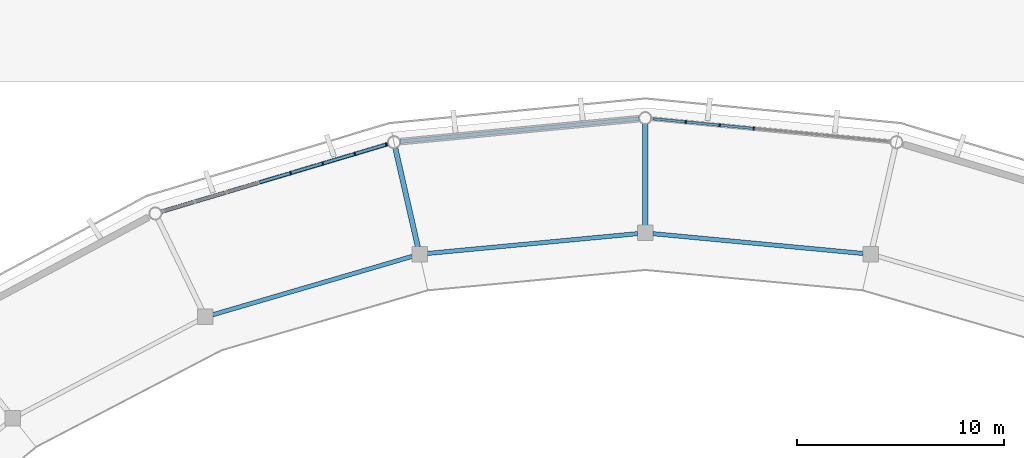
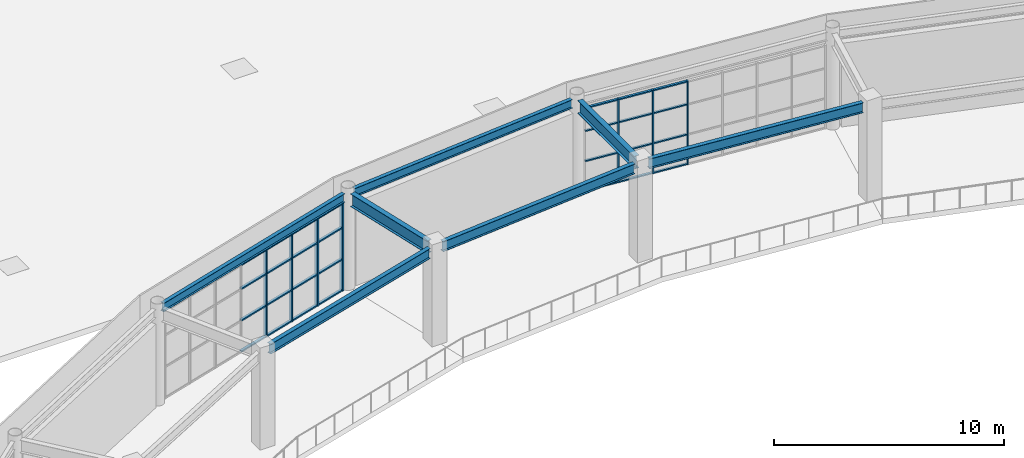
# One storey, part 30 of 70: 35 members, 7 beams, 2 elements without a shape of their own.
"""IFC4 building model written with IfcOpenShell, lengths in metres."""

from ifc_helpers import new_model, si_unit, direction, frame, origin, origin_2d, place, context, subcontext, project, spatial, rectangle, i_section, extrude, material, material_profile, profile_set, type_object, element, aggregate, save


model = new_model("IFC4")

# Units and contexts
model_context = context("Model", 3, precision=1e-05, world=origin(), true_north=direction((0.0, 1.0)))
body_context = subcontext(model_context, "Body", "Model", "MODEL_VIEW")
ifc_project = project(units=[si_unit("LENGTHUNIT", "METRE"), si_unit("AREAUNIT", "SQUARE_METRE"), si_unit("VOLUMEUNIT", "CUBIC_METRE"), si_unit("PLANEANGLEUNIT", "RADIAN"), si_unit("MASSUNIT", "GRAM", prefix="KILO")], contexts=[model_context])

# Site, building, storey
site_placement = place(None, origin())
site = spatial("IfcSite", under=ifc_project, at=site_placement, CompositionType="ELEMENT")
building_placement = place(site_placement, origin())
building = spatial("IfcBuilding", under=site, at=building_placement, Name="Cuetzalor Civic Arena", CompositionType="ELEMENT")
storey_placement = place(building_placement, frame((0.0, 0.0, 21.0)))
storey = spatial("IfcBuildingStorey", under=building, at=storey_placement, Name="L04", CompositionType="ELEMENT", Elevation=21.0)

# Curtain wall, members
ifc_material_1 = material(Name="Anodised dark bronze aluminium and low-E solar glass", Category="aluminium")
curtain_wall_type_1 = type_object("IfcCurtainWallType", Name="UnitisedCW_11550x4450", PredefinedType="USERDEFINED", material=ifc_material_1)
curtain_wall_1_placement = place(storey_placement, origin())
curtain_wall_1 = element("IfcCurtainWall", 1, at=curtain_wall_1_placement, inside=storey, type_object=curtain_wall_type_1, Name="Drum Triangle Foyer Curtain Wall L04-059", ObjectType="UNITISED CURTAIN WALL", PredefinedType="USERDEFINED")
ifc_material_2 = material(Name="Anodised dark bronze aluminium", Category="aluminium")
ifc_material_profile_1 = material_profile(ifc_material_2, rectangle(XDim=0.06494140625, YDim=0.14990234375, at=origin_2d()), Name="ALU MULLION 65x150")
ifc_profile_set_1 = profile_set([ifc_material_profile_1], Name="Anodised dark bronze aluminium")
member_type_1 = type_object("IfcMemberType", Name="CurtainWallMullion_60x150", PredefinedType="MULLION", material=ifc_profile_set_1)
member_1_placement = place(storey_placement, frame((1.957763671875, 46.36181640625, 0.0), z_axis=(0.0, 0.0, 1.0), x_axis=(0.995409139996, -0.095711253324, 0.0)))
member_1 = element("IfcMember", 2, at=member_1_placement, type_object=member_type_1, Name="CW-08 mullion 2", PredefinedType="MULLION", context=body_context, shape_type="SweptSolid", body=[
    extrude(rectangle(XDim=0.06494140625, YDim=0.14990234375, at=origin_2d()), origin(), (0.0, 0.0, 1.0), 4.431884765625),
])
member_2_placement = place(storey_placement, frame((3.602294921875, 46.20361328125, 0.0), z_axis=(0.0, 0.0, 1.0), x_axis=(0.995409139996, -0.095711253324, 0.0)))
member_2 = element("IfcMember", 3, at=member_2_placement, type_object=member_type_1, Name="CW-08 mullion 3", PredefinedType="MULLION", context=body_context, shape_type="SweptSolid", body=[
    extrude(rectangle(XDim=0.06494140625, YDim=0.14990234375, at=origin_2d()), origin(), (0.0, 0.0, 1.0), 4.431884765625),
])
member_3_placement = place(storey_placement, frame((5.2470703125, 46.04541015625, 0.0), z_axis=(0.0, 0.0, 1.0), x_axis=(0.995409139996, -0.095711253324, 0.0)))
member_3 = element("IfcMember", 4, at=member_3_placement, type_object=member_type_1, Name="CW-08 mullion 4", PredefinedType="MULLION", context=body_context, shape_type="SweptSolid", body=[
    extrude(rectangle(XDim=0.06494140625, YDim=0.14990234375, at=origin_2d()), origin(), (0.0, 0.0, 1.0), 4.431884765625),
])

ifc_material_3 = material(Name="Anodised dark bronze aluminium and low-E solar glass", Category="aluminium")
curtain_wall_type_2 = type_object("IfcCurtainWallType", Name="UnitisedCW_11300x4650", PredefinedType="USERDEFINED", material=ifc_material_3)
curtain_wall_2_placement = place(storey_placement, origin())
curtain_wall_2 = element("IfcCurtainWall", 5, at=curtain_wall_2_placement, inside=storey, type_object=curtain_wall_type_2, Name="Drum Triangle Foyer Curtain Wall L04-060", ObjectType="UNITISED CURTAIN WALL", PredefinedType="USERDEFINED")
ifc_material_4 = material(Name="Anodised dark bronze aluminium", Category="aluminium")
ifc_material_profile_2 = material_profile(ifc_material_4, rectangle(XDim=0.070068359375, YDim=0.179931640625, at=origin_2d()), Name="ALU MULLION 70x180")
ifc_profile_set_2 = profile_set([ifc_material_profile_2], Name="Anodised dark bronze aluminium")
member_type_2 = type_object("IfcMemberType", Name="CurtainWallMullion_65x180", PredefinedType="MULLION", material=ifc_profile_set_2)
member_4_placement = place(storey_placement, frame((-17.12939453125, 43.892578125, 0.0), z_axis=(0.0, 0.0, 1.0), x_axis=(0.958193690548, 0.286120344251, 0.0)))
member_4 = element("IfcMember", 6, at=member_4_placement, type_object=member_type_2, Name="CW-09 mullion 5", PredefinedType="MULLION", context=body_context, shape_type="SweptSolid", body=[
    extrude(rectangle(XDim=0.070068359375, YDim=0.179931640625, at=origin_2d()), origin(), (0.0, 0.0, 1.0), 4.653076171875),
])
member_5_placement = place(storey_placement, frame((-15.581298828125, 44.35498046875, 0.0), z_axis=(0.0, 0.0, 1.0), x_axis=(0.958193690548, 0.286120344251, 0.0)))
member_5 = element("IfcMember", 7, at=member_5_placement, type_object=member_type_2, Name="CW-09 mullion 6", PredefinedType="MULLION", context=body_context, shape_type="SweptSolid", body=[
    extrude(rectangle(XDim=0.070068359375, YDim=0.179931640625, at=origin_2d()), origin(), (0.0, 0.0, 1.0), 4.653076171875),
])
member_6_placement = place(storey_placement, frame((-14.032958984375, 44.817138671875, 0.0), z_axis=(0.0, 0.0, 1.0), x_axis=(0.958193690548, 0.286120344251, 0.0)))
member_6 = element("IfcMember", 8, at=member_6_placement, type_object=member_type_2, Name="CW-09 mullion 7", PredefinedType="MULLION", context=body_context, shape_type="SweptSolid", body=[
    extrude(rectangle(XDim=0.070068359375, YDim=0.179931640625, at=origin_2d()), origin(), (0.0, 0.0, 1.0), 4.653076171875),
])
member_7_placement = place(storey_placement, frame((-12.5185546875, 45.26953125, 0.0), z_axis=(0.0, 0.0, 1.0), x_axis=(0.958193690548, 0.286120344251, 0.0)))
member_7 = element("IfcMember", 9, at=member_7_placement, type_object=member_type_2, Name="CW-09 mullion 8", PredefinedType="MULLION", context=body_context, shape_type="SweptSolid", body=[
    extrude(rectangle(XDim=0.070068359375, YDim=0.179931640625, at=origin_2d()), origin(), (0.0, 0.0, 1.0), 4.653076171875),
])

# Member
ifc_material_5 = material(Name="Anodised dark bronze aluminium", Category="aluminium")
ifc_material_profile_3 = material_profile(ifc_material_5, rectangle(XDim=0.1201171875, YDim=0.06494140625, at=origin_2d()), Name="ALU TRANSOM 65x120")
ifc_profile_set_3 = profile_set([ifc_material_profile_3], Name="Anodised dark bronze aluminium")
member_type_3 = type_object("IfcMemberType", Name="CurtainWallTransom_60x120", PredefinedType="USERDEFINED", material=ifc_profile_set_3)
member_8_placement = place(storey_placement, frame((0.3779296875, 46.513671875, 0.032470703125), z_axis=(0.995416793915, -0.095631618157, 0.0), x_axis=(0.095631618157, 0.995416793915, 0.0)))
member_8 = element("IfcMember", 10, at=member_8_placement, type_object=member_type_3, Name="CW-08 transom 1.1", ObjectType="TRANSOM", PredefinedType="USERDEFINED", context=body_context, shape_type="SweptSolid", body=[
    extrude(rectangle(XDim=0.1201171875, YDim=0.06494140625, at=origin_2d()), origin(), (0.0, 0.0, 1.0), 1.5546875),
])

member_9_placement = place(storey_placement, frame((0.3779296875, 46.513671875, 1.595947265625), z_axis=(0.995416793915, -0.095631618157, 0.0), x_axis=(0.095631618157, 0.995416793915, 0.0)))
member_9 = element("IfcMember", 11, at=member_9_placement, type_object=member_type_3, Name="CW-08 transom 1.2", ObjectType="TRANSOM", PredefinedType="USERDEFINED", context=body_context, shape_type="SweptSolid", body=[
    extrude(rectangle(XDim=0.1201171875, YDim=0.06494140625, at=origin_2d()), origin(), (0.0, 0.0, 1.0), 1.5546875),
])

member_10_placement = place(storey_placement, frame((0.3779296875, 46.513671875, 3.19091796875), z_axis=(0.995416793915, -0.095631618157, 0.0), x_axis=(0.095631618157, 0.995416793915, 0.0)))
member_10 = element("IfcMember", 12, at=member_10_placement, type_object=member_type_3, Name="CW-08 transom 1.3", ObjectType="TRANSOM", PredefinedType="USERDEFINED", context=body_context, shape_type="SweptSolid", body=[
    extrude(rectangle(XDim=0.1201171875, YDim=0.06494140625, at=origin_2d()), origin(), (0.0, 0.0, 1.0), 1.5546875),
])

member_11_placement = place(storey_placement, frame((0.3779296875, 46.513671875, 4.3994140625), z_axis=(0.995416793915, -0.095631618157, 0.0), x_axis=(0.095631618157, 0.995416793915, 0.0)))
member_11 = element("IfcMember", 13, at=member_11_placement, type_object=member_type_3, Name="CW-08 transom 1.4", ObjectType="TRANSOM", PredefinedType="USERDEFINED", context=body_context, shape_type="SweptSolid", body=[
    extrude(rectangle(XDim=0.1201171875, YDim=0.06494140625, at=origin_2d()), origin(), (0.0, 0.0, 1.0), 1.5546875),
])

member_12_placement = place(storey_placement, frame((1.990234375, 46.358642578125, 0.032470703125), z_axis=(0.995412128785, -0.095680164442, 0.0), x_axis=(0.095680164442, 0.995412128785, 0.0)))
member_12 = element("IfcMember", 14, at=member_12_placement, type_object=member_type_3, Name="CW-08 transom 2.1", ObjectType="TRANSOM", PredefinedType="USERDEFINED", context=body_context, shape_type="SweptSolid", body=[
    extrude(rectangle(XDim=0.1201171875, YDim=0.06494140625, at=origin_2d()), origin(), (0.0, 0.0, 1.0), 1.587158203125),
])

member_13_placement = place(storey_placement, frame((1.990234375, 46.358642578125, 1.595947265625), z_axis=(0.995412128785, -0.095680164442, 0.0), x_axis=(0.095680164442, 0.995412128785, 0.0)))
member_13 = element("IfcMember", 15, at=member_13_placement, type_object=member_type_3, Name="CW-08 transom 2.2", ObjectType="TRANSOM", PredefinedType="USERDEFINED", context=body_context, shape_type="SweptSolid", body=[
    extrude(rectangle(XDim=0.1201171875, YDim=0.06494140625, at=origin_2d()), origin(), (0.0, 0.0, 1.0), 1.587158203125),
])

member_14_placement = place(storey_placement, frame((1.990234375, 46.358642578125, 3.19091796875), z_axis=(0.995412128785, -0.095680164442, 0.0), x_axis=(0.095680164442, 0.995412128785, 0.0)))
member_14 = element("IfcMember", 16, at=member_14_placement, type_object=member_type_3, Name="CW-08 transom 2.3", ObjectType="TRANSOM", PredefinedType="USERDEFINED", context=body_context, shape_type="SweptSolid", body=[
    extrude(rectangle(XDim=0.1201171875, YDim=0.06494140625, at=origin_2d()), origin(), (0.0, 0.0, 1.0), 1.587158203125),
])

member_15_placement = place(storey_placement, frame((1.990234375, 46.358642578125, 4.3994140625), z_axis=(0.995412128785, -0.095680164442, 0.0), x_axis=(0.095680164442, 0.995412128785, 0.0)))
member_15 = element("IfcMember", 17, at=member_15_placement, type_object=member_type_3, Name="CW-08 transom 2.4", ObjectType="TRANSOM", PredefinedType="USERDEFINED", context=body_context, shape_type="SweptSolid", body=[
    extrude(rectangle(XDim=0.1201171875, YDim=0.06494140625, at=origin_2d()), origin(), (0.0, 0.0, 1.0), 1.587158203125),
])

member_16_placement = place(storey_placement, frame((3.634765625, 46.200439453125, 0.032470703125), z_axis=(0.995412128785, -0.095680164442, 0.0), x_axis=(0.095680164442, 0.995412128785, 0.0)))
member_16 = element("IfcMember", 18, at=member_16_placement, type_object=member_type_3, Name="CW-08 transom 3.1", ObjectType="TRANSOM", PredefinedType="USERDEFINED", context=body_context, shape_type="SweptSolid", body=[
    extrude(rectangle(XDim=0.1201171875, YDim=0.06494140625, at=origin_2d()), origin(), (0.0, 0.0, 1.0), 1.587158203125),
])

member_17_placement = place(storey_placement, frame((3.634765625, 46.200439453125, 1.595947265625), z_axis=(0.995412128785, -0.095680164442, 0.0), x_axis=(0.095680164442, 0.995412128785, 0.0)))
member_17 = element("IfcMember", 19, at=member_17_placement, type_object=member_type_3, Name="CW-08 transom 3.2", ObjectType="TRANSOM", PredefinedType="USERDEFINED", context=body_context, shape_type="SweptSolid", body=[
    extrude(rectangle(XDim=0.1201171875, YDim=0.06494140625, at=origin_2d()), origin(), (0.0, 0.0, 1.0), 1.587158203125),
])

member_18_placement = place(storey_placement, frame((3.634765625, 46.200439453125, 3.19091796875), z_axis=(0.995412128785, -0.095680164442, 0.0), x_axis=(0.095680164442, 0.995412128785, 0.0)))
member_18 = element("IfcMember", 20, at=member_18_placement, type_object=member_type_3, Name="CW-08 transom 3.3", ObjectType="TRANSOM", PredefinedType="USERDEFINED", context=body_context, shape_type="SweptSolid", body=[
    extrude(rectangle(XDim=0.1201171875, YDim=0.06494140625, at=origin_2d()), origin(), (0.0, 0.0, 1.0), 1.587158203125),
])

member_19_placement = place(storey_placement, frame((3.634765625, 46.200439453125, 4.3994140625), z_axis=(0.995412128785, -0.095680164442, 0.0), x_axis=(0.095680164442, 0.995412128785, 0.0)))
member_19 = element("IfcMember", 21, at=member_19_placement, type_object=member_type_3, Name="CW-08 transom 3.4", ObjectType="TRANSOM", PredefinedType="USERDEFINED", context=body_context, shape_type="SweptSolid", body=[
    extrude(rectangle(XDim=0.1201171875, YDim=0.06494140625, at=origin_2d()), origin(), (0.0, 0.0, 1.0), 1.587158203125),
])

aggregate(curtain_wall_1, [member_1, member_2, member_3, member_8, member_9, member_10, member_11, member_12, member_13, member_14, member_15, member_16, member_17, member_18, member_19])

ifc_material_6 = material(Name="Anodised dark bronze aluminium", Category="aluminium")
ifc_material_profile_4 = material_profile(ifc_material_6, rectangle(XDim=0.139892578125, YDim=0.070068359375, at=origin_2d()), Name="ALU TRANSOM 70x140")
ifc_profile_set_4 = profile_set([ifc_material_profile_4], Name="Anodised dark bronze aluminium")
member_type_4 = type_object("IfcMemberType", Name="CurtainWallTransom_65x140", PredefinedType="USERDEFINED", material=ifc_profile_set_4)
member_20_placement = place(storey_placement, frame((-18.64404296875, 43.4404296875, 0.034912109375), z_axis=(0.958220951688, 0.286029033049, 0.0), x_axis=(-0.286029033049, 0.958220951688, 0.0)))
member_20 = element("IfcMember", 22, at=member_20_placement, type_object=member_type_4, Name="CW-09 transom 4.1", ObjectType="TRANSOM", PredefinedType="USERDEFINED", context=body_context, shape_type="SweptSolid", body=[
    extrude(rectangle(XDim=0.139892578125, YDim=0.070068359375, at=origin_2d()), origin(), (0.0, 0.0, 1.0), 1.5458984375),
])

member_21_placement = place(storey_placement, frame((-18.64404296875, 43.4404296875, 1.675048828125), z_axis=(0.958220951688, 0.286029033049, 0.0), x_axis=(-0.286029033049, 0.958220951688, 0.0)))
member_21 = element("IfcMember", 23, at=member_21_placement, type_object=member_type_4, Name="CW-09 transom 4.2", ObjectType="TRANSOM", PredefinedType="USERDEFINED", context=body_context, shape_type="SweptSolid", body=[
    extrude(rectangle(XDim=0.139892578125, YDim=0.070068359375, at=origin_2d()), origin(), (0.0, 0.0, 1.0), 1.5458984375),
])

member_22_placement = place(storey_placement, frame((-18.64404296875, 43.4404296875, 3.35009765625), z_axis=(0.958220951688, 0.286029033049, 0.0), x_axis=(-0.286029033049, 0.958220951688, 0.0)))
member_22 = element("IfcMember", 24, at=member_22_placement, type_object=member_type_4, Name="CW-09 transom 4.3", ObjectType="TRANSOM", PredefinedType="USERDEFINED", context=body_context, shape_type="SweptSolid", body=[
    extrude(rectangle(XDim=0.139892578125, YDim=0.070068359375, at=origin_2d()), origin(), (0.0, 0.0, 1.0), 1.5458984375),
])

member_23_placement = place(storey_placement, frame((-18.64404296875, 43.4404296875, 4.617919921875), z_axis=(0.958220951688, 0.286029033049, 0.0), x_axis=(-0.286029033049, 0.958220951688, 0.0)))
member_23 = element("IfcMember", 25, at=member_23_placement, type_object=member_type_4, Name="CW-09 transom 4.4", ObjectType="TRANSOM", PredefinedType="USERDEFINED", context=body_context, shape_type="SweptSolid", body=[
    extrude(rectangle(XDim=0.139892578125, YDim=0.070068359375, at=origin_2d()), origin(), (0.0, 0.0, 1.0), 1.5458984375),
])

member_24_placement = place(storey_placement, frame((-17.095947265625, 43.902587890625, 0.034912109375), z_axis=(0.958177654678, 0.286174041582, 0.0), x_axis=(-0.286174041582, 0.958177654678, 0.0)))
member_24 = element("IfcMember", 26, at=member_24_placement, type_object=member_type_4, Name="CW-09 transom 5.1", ObjectType="TRANSOM", PredefinedType="USERDEFINED", context=body_context, shape_type="SweptSolid", body=[
    extrude(rectangle(XDim=0.139892578125, YDim=0.070068359375, at=origin_2d()), origin(), (0.0, 0.0, 1.0), 1.5458984375),
])

member_25_placement = place(storey_placement, frame((-17.095947265625, 43.902587890625, 1.675048828125), z_axis=(0.958177654678, 0.286174041582, 0.0), x_axis=(-0.286174041582, 0.958177654678, 0.0)))
member_25 = element("IfcMember", 27, at=member_25_placement, type_object=member_type_4, Name="CW-09 transom 5.2", ObjectType="TRANSOM", PredefinedType="USERDEFINED", context=body_context, shape_type="SweptSolid", body=[
    extrude(rectangle(XDim=0.139892578125, YDim=0.070068359375, at=origin_2d()), origin(), (0.0, 0.0, 1.0), 1.5458984375),
])

member_26_placement = place(storey_placement, frame((-17.095947265625, 43.902587890625, 3.35009765625), z_axis=(0.958177654678, 0.286174041582, 0.0), x_axis=(-0.286174041582, 0.958177654678, 0.0)))
member_26 = element("IfcMember", 28, at=member_26_placement, type_object=member_type_4, Name="CW-09 transom 5.3", ObjectType="TRANSOM", PredefinedType="USERDEFINED", context=body_context, shape_type="SweptSolid", body=[
    extrude(rectangle(XDim=0.139892578125, YDim=0.070068359375, at=origin_2d()), origin(), (0.0, 0.0, 1.0), 1.5458984375),
])

member_27_placement = place(storey_placement, frame((-17.095947265625, 43.902587890625, 4.617919921875), z_axis=(0.958177654678, 0.286174041582, 0.0), x_axis=(-0.286174041582, 0.958177654678, 0.0)))
member_27 = element("IfcMember", 29, at=member_27_placement, type_object=member_type_4, Name="CW-09 transom 5.4", ObjectType="TRANSOM", PredefinedType="USERDEFINED", context=body_context, shape_type="SweptSolid", body=[
    extrude(rectangle(XDim=0.139892578125, YDim=0.070068359375, at=origin_2d()), origin(), (0.0, 0.0, 1.0), 1.5458984375),
])

member_28_placement = place(storey_placement, frame((-15.547607421875, 44.364990234375, 0.034912109375), z_axis=(0.958208027284, 0.286072327302, 0.0), x_axis=(-0.286072327302, 0.958208027284, 0.0)))
member_28 = element("IfcMember", 30, at=member_28_placement, type_object=member_type_4, Name="CW-09 transom 6.1", ObjectType="TRANSOM", PredefinedType="USERDEFINED", context=body_context, shape_type="SweptSolid", body=[
    extrude(rectangle(XDim=0.139892578125, YDim=0.070068359375, at=origin_2d()), origin(), (0.0, 0.0, 1.0), 1.545654296875),
])

member_29_placement = place(storey_placement, frame((-15.547607421875, 44.364990234375, 1.675048828125), z_axis=(0.958208027284, 0.286072327302, 0.0), x_axis=(-0.286072327302, 0.958208027284, 0.0)))
member_29 = element("IfcMember", 31, at=member_29_placement, type_object=member_type_4, Name="CW-09 transom 6.2", ObjectType="TRANSOM", PredefinedType="USERDEFINED", context=body_context, shape_type="SweptSolid", body=[
    extrude(rectangle(XDim=0.139892578125, YDim=0.070068359375, at=origin_2d()), origin(), (0.0, 0.0, 1.0), 1.545654296875),
])

member_30_placement = place(storey_placement, frame((-15.547607421875, 44.364990234375, 3.35009765625), z_axis=(0.958208027284, 0.286072327302, 0.0), x_axis=(-0.286072327302, 0.958208027284, 0.0)))
member_30 = element("IfcMember", 32, at=member_30_placement, type_object=member_type_4, Name="CW-09 transom 6.3", ObjectType="TRANSOM", PredefinedType="USERDEFINED", context=body_context, shape_type="SweptSolid", body=[
    extrude(rectangle(XDim=0.139892578125, YDim=0.070068359375, at=origin_2d()), origin(), (0.0, 0.0, 1.0), 1.545654296875),
])

member_31_placement = place(storey_placement, frame((-15.547607421875, 44.364990234375, 4.617919921875), z_axis=(0.958208027284, 0.286072327302, 0.0), x_axis=(-0.286072327302, 0.958208027284, 0.0)))
member_31 = element("IfcMember", 33, at=member_31_placement, type_object=member_type_4, Name="CW-09 transom 6.4", ObjectType="TRANSOM", PredefinedType="USERDEFINED", context=body_context, shape_type="SweptSolid", body=[
    extrude(rectangle(XDim=0.139892578125, YDim=0.070068359375, at=origin_2d()), origin(), (0.0, 0.0, 1.0), 1.545654296875),
])

member_32_placement = place(storey_placement, frame((-13.99951171875, 44.8271484375, 0.034912109375), z_axis=(0.958168093169, 0.286206053804, 0.0), x_axis=(-0.286206053804, 0.958168093169, 0.0)))
member_32 = element("IfcMember", 34, at=member_32_placement, type_object=member_type_4, Name="CW-09 transom 7.1", ObjectType="TRANSOM", PredefinedType="USERDEFINED", context=body_context, shape_type="SweptSolid", body=[
    extrude(rectangle(XDim=0.139892578125, YDim=0.070068359375, at=origin_2d()), origin(), (0.0, 0.0, 1.0), 1.5107421875),
])

member_33_placement = place(storey_placement, frame((-13.99951171875, 44.8271484375, 1.675048828125), z_axis=(0.958168093169, 0.286206053804, 0.0), x_axis=(-0.286206053804, 0.958168093169, 0.0)))
member_33 = element("IfcMember", 35, at=member_33_placement, type_object=member_type_4, Name="CW-09 transom 7.2", ObjectType="TRANSOM", PredefinedType="USERDEFINED", context=body_context, shape_type="SweptSolid", body=[
    extrude(rectangle(XDim=0.139892578125, YDim=0.070068359375, at=origin_2d()), origin(), (0.0, 0.0, 1.0), 1.5107421875),
])

member_34_placement = place(storey_placement, frame((-13.99951171875, 44.8271484375, 3.35009765625), z_axis=(0.958168093169, 0.286206053804, 0.0), x_axis=(-0.286206053804, 0.958168093169, 0.0)))
member_34 = element("IfcMember", 36, at=member_34_placement, type_object=member_type_4, Name="CW-09 transom 7.3", ObjectType="TRANSOM", PredefinedType="USERDEFINED", context=body_context, shape_type="SweptSolid", body=[
    extrude(rectangle(XDim=0.139892578125, YDim=0.070068359375, at=origin_2d()), origin(), (0.0, 0.0, 1.0), 1.5107421875),
])

member_35_placement = place(storey_placement, frame((-13.99951171875, 44.8271484375, 4.617919921875), z_axis=(0.958168093169, 0.286206053804, 0.0), x_axis=(-0.286206053804, 0.958168093169, 0.0)))
member_35 = element("IfcMember", 37, at=member_35_placement, type_object=member_type_4, Name="CW-09 transom 7.4", ObjectType="TRANSOM", PredefinedType="USERDEFINED", context=body_context, shape_type="SweptSolid", body=[
    extrude(rectangle(XDim=0.139892578125, YDim=0.070068359375, at=origin_2d()), origin(), (0.0, 0.0, 1.0), 1.5107421875),
])

aggregate(curtain_wall_2, [member_4, member_5, member_6, member_7, member_20, member_21, member_22, member_23, member_24, member_25, member_26, member_27, member_28, member_29, member_30, member_31, member_32, member_33, member_34, member_35])

# Beams
ifc_material_7 = material(Name="Steel S355", Category="steel")
ifc_material_profile_5 = material_profile(ifc_material_7, i_section(OverallWidth=0.18994140625, OverallDepth=0.45703125, WebThickness=0.009033203125, FlangeThickness=0.014404296875, at=origin_2d()), Name="W460x74")
ifc_profile_set_5 = profile_set([ifc_material_profile_5], Name="Steel S355")
beam_type_1 = type_object("IfcBeamType", Name="FacadeSpandrelBeam_W460", PredefinedType="SPANDREL", material=ifc_profile_set_5)
beam_1_placement = place(storey_placement, frame((-0.288818359375, 46.522216796875, 4.8916015625), z_axis=(-0.995409568272, -0.095706799095, 0.0), x_axis=(0.095706799095, -0.995409568272, 0.0)))
element("IfcBeam", 38, at=beam_1_placement, inside=storey, type_object=beam_type_1, Name="Drum Perimeter Spandrel L04-S08", PredefinedType="SPANDREL", context=body_context, shape_type="SweptSolid", body=[
    extrude(i_section(OverallWidth=0.18994140625, OverallDepth=0.45703125, WebThickness=0.009033203125, FlangeThickness=0.014404296875, at=origin_2d()), origin(), (0.0, 0.0, 1.0), 11.6142578125),
])
beam_2_placement = place(storey_placement, frame((-12.41650390625, 45.2998046875, 4.8916015625), z_axis=(-0.958199215373, -0.28610184141, 0.0), x_axis=(0.28610184141, -0.958199215373, 0.0)))
element("IfcBeam", 39, at=beam_2_placement, inside=storey, type_object=beam_type_1, Name="Drum Perimeter Spandrel L04-S09", PredefinedType="SPANDREL", context=body_context, shape_type="SweptSolid", body=[
    extrude(i_section(OverallWidth=0.18994140625, OverallDepth=0.45703125, WebThickness=0.009033203125, FlangeThickness=0.014404296875, at=origin_2d()), origin(), (0.0, 0.0, 1.0), 11.45263671875),
])
ifc_material_8 = material(Name="Steel S355", Category="steel")
ifc_material_profile_6 = material_profile(ifc_material_8, i_section(OverallWidth=0.208984375, OverallDepth=0.532958984375, WebThickness=0.01025390625, FlangeThickness=0.015625, at=origin_2d()), Name="W530x92")
ifc_profile_set_6 = profile_set([ifc_material_profile_6], Name="Steel S355")
beam_type_2 = type_object("IfcBeamType", Name="SteelCollarGirder_W530", PredefinedType="BEAM", material=ifc_profile_set_6)
for number, where, z_axis, x_axis, name in (
    (40, (10.53515625, 40.006591796875, 4.853515625), (-0.995583045118, 0.093885037538, 0.0), (-0.093885037538, -0.995583045118, 0.0), "Drum Concourse Ring Girder L04-S07"),
    (41, (-0.368408203125, 40.96533203125, 4.853515625), (-0.995583045118, -0.093885037538, 0.0), (0.093885037538, -0.995583045118, 0.0), "Drum Concourse Ring Girder L04-S08"),
):
    element("IfcBeam", number, at=place(storey_placement, frame(where, z_axis=z_axis, x_axis=x_axis)), inside=storey, type_object=beam_type_2, Name=name, PredefinedType="BEAM", context=body_context, shape_type="SweptSolid", body=[
        extrude(i_section(OverallWidth=0.208984375, OverallDepth=0.532958984375, WebThickness=0.01025390625, FlangeThickness=0.015625, at=origin_2d()), origin(), (0.0, 0.0, 1.0), 10.2119140625),
    ])
beam_3_placement = place(storey_placement, frame((-11.258544921875, 39.867919921875, 4.853515625), z_axis=(-0.959716323112, -0.280970779889, 0.0), x_axis=(0.280970779889, -0.959716323112, 0.0)))
element("IfcBeam", 42, at=beam_3_placement, inside=storey, type_object=beam_type_2, Name="Drum Concourse Ring Girder L04-S09", PredefinedType="BEAM", context=body_context, shape_type="SweptSolid", body=[
    extrude(i_section(OverallWidth=0.208984375, OverallDepth=0.532958984375, WebThickness=0.01025390625, FlangeThickness=0.015625, at=origin_2d()), origin(), (0.0, 0.0, 1.0), 10.0517578125),
])
ifc_material_9 = material(Name="Steel S355", Category="steel")
ifc_material_profile_7 = material_profile(ifc_material_9, i_section(OverallWidth=0.2529296875, OverallDepth=0.677978515625, WebThickness=0.01171875, FlangeThickness=0.016357421875, at=origin_2d()), Name="W690x125")
ifc_profile_set_7 = profile_set([ifc_material_profile_7], Name="Steel S355")
beam_type_3 = type_object("IfcBeamType", Name="SteelPrimaryGirder_W690", PredefinedType="BEAM", material=ifc_profile_set_7)
for number, where, z_axis, x_axis, name in (
    (43, (0.0, 41.360107421875, 4.781005859375), (0.0, 1.0, 0.0), (-1.0, 0.0, 0.0), "Drum Radial Girder L04-R08"),
    (44, (-10.983642578125, 40.322998046875, 4.781005859375), (-0.222519036633, 0.974928345231, 0.0), (-0.974928345231, -0.222519036633, 0.0), "Drum Radial Girder L04-R09"),
):
    element("IfcBeam", number, at=place(storey_placement, frame(where, z_axis=z_axis, x_axis=x_axis)), inside=storey, type_object=beam_type_3, Name=name, PredefinedType="BEAM", context=body_context, shape_type="SweptSolid", body=[
        extrude(i_section(OverallWidth=0.2529296875, OverallDepth=0.677978515625, WebThickness=0.01171875, FlangeThickness=0.016357421875, at=origin_2d()), origin(), (0.0, 0.0, 1.0), 4.89990234375),
    ])

save(model, "model.ifc")
